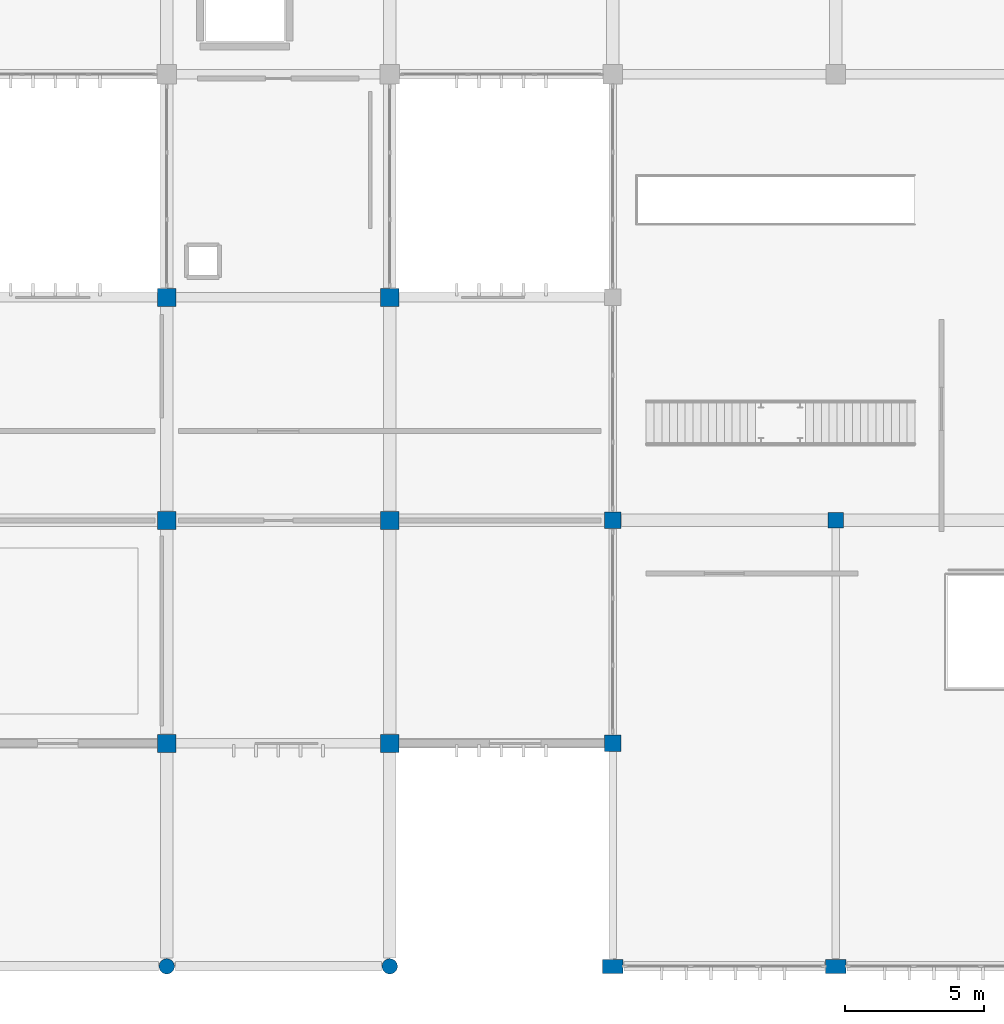
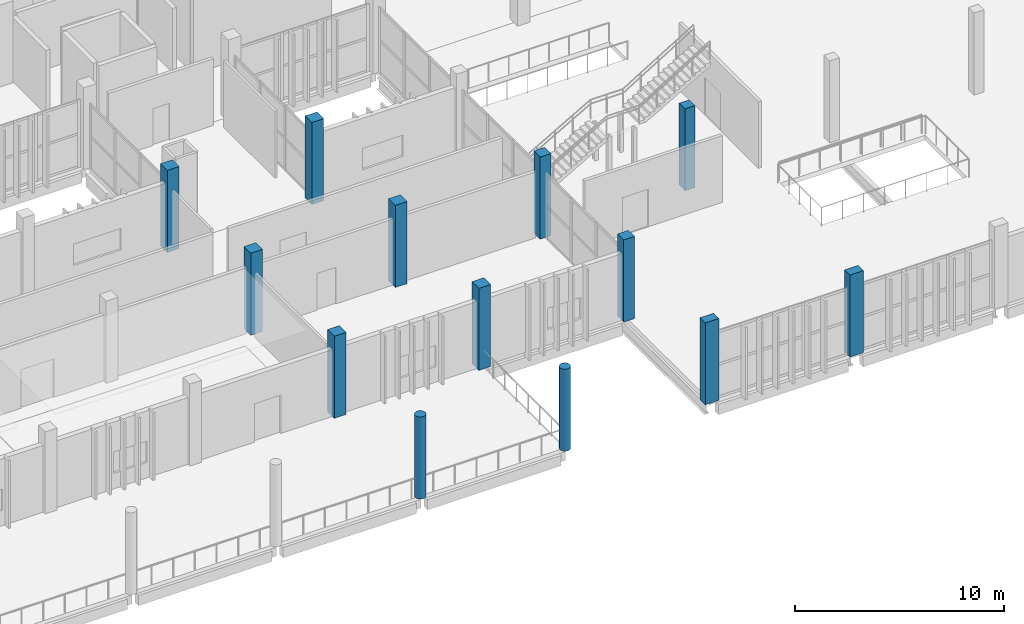
# One storey, part 11 of 106: 13 columns.
"""IFC4 building model written with IfcOpenShell, lengths in metres."""

from ifc_helpers import new_model, si_unit, direction, frame, origin, origin_2d, place, context, subcontext, project, spatial, rectangle, circle, extrude, material, material_profile, profile_set, type_object, element, save


model = new_model("IFC4")

# Units and contexts
model_context = context("Model", 3, precision=1e-05, world=origin(), true_north=direction((0.0, 1.0)))
body_context = subcontext(model_context, "Body", "Model", "MODEL_VIEW")
ifc_project = project(units=[si_unit("LENGTHUNIT", "METRE"), si_unit("AREAUNIT", "SQUARE_METRE"), si_unit("VOLUMEUNIT", "CUBIC_METRE"), si_unit("PLANEANGLEUNIT", "RADIAN"), si_unit("MASSUNIT", "GRAM", prefix="KILO")], contexts=[model_context])

# Site, building, storey
site_placement = place(None, origin())
site = spatial("IfcSite", under=ifc_project, at=site_placement, CompositionType="ELEMENT")
building_placement = place(site_placement, origin())
building = spatial("IfcBuilding", under=site, at=building_placement, Name="Jelvoka-Kovrelna Polytechnic", CompositionType="ELEMENT")
storey_placement = place(building_placement, frame((0.0, 0.0, 4.800048828125)))
storey = spatial("IfcBuildingStorey", under=building, at=storey_placement, Name="L02", CompositionType="ELEMENT", Elevation=4.800048828125)

# Columns
ifc_material_1 = material(Name="Concrete C40/50", Category="concrete")
ifc_material_profile_1 = material_profile(ifc_material_1, circle(Radius=0.27490234375, at=origin_2d()), Name="RC D550")
ifc_profile_set_1 = profile_set([ifc_material_profile_1], Name="Concrete C40/50")
column_type_1 = type_object("IfcColumnType", Name="Col_Pilotis_D550", PredefinedType="PILASTER", material=ifc_profile_set_1)
for number, where, z_axis, x_axis, name in (
    (1, (144.0, 0.0, 0.0), (0.0, 0.0, 1.0), (1.0, 0.0, 0.0), "L02 column 0056"),
    (2, (152.0, 0.0, 0.0), (0.0, 0.0, 1.0), (1.0, 0.0, 0.0), "L02 column 0059"),
):
    element("IfcColumn", number, at=place(storey_placement, frame(where, z_axis=z_axis, x_axis=x_axis)), inside=storey, type_object=column_type_1, Name=name, PredefinedType="PILASTER", context=body_context, shape_type="SweptSolid", body=[
        extrude(circle(Radius=0.27490234375, at=origin_2d()), origin(), (0.0, 0.0, 1.0), 4.800048828125),
    ])
ifc_material_2 = material(Name="Concrete C40/50", Category="concrete")
ifc_material_profile_2 = material_profile(ifc_material_2, rectangle(XDim=0.5, YDim=0.75, at=origin_2d()), Name="RC 500x750")
ifc_profile_set_2 = profile_set([ifc_material_profile_2], Name="Concrete C40/50")
column_type_2 = type_object("IfcColumnType", Name="Col_RC_500x750", PredefinedType="COLUMN", material=ifc_profile_set_2)
for number, where, z_axis, x_axis, name in (
    (3, (160.0, 0.0, 0.0), (0.0, 0.0, 1.0), (0.0, 1.0, 0.0), "L02 column 0062"),
    (4, (168.0, 0.0, 0.0), (0.0, 0.0, 1.0), (0.0, 1.0, 0.0), "L02 column 0066"),
):
    element("IfcColumn", number, at=place(storey_placement, frame(where, z_axis=z_axis, x_axis=x_axis)), inside=storey, type_object=column_type_2, Name=name, PredefinedType="COLUMN", context=body_context, shape_type="SweptSolid", body=[
        extrude(rectangle(XDim=0.5, YDim=0.75, at=origin_2d()), origin(), (0.0, 0.0, 1.0), 4.800048828125),
    ])
ifc_material_3 = material(Name="Concrete C40/50", Category="concrete")
ifc_material_profile_3 = material_profile(ifc_material_3, rectangle(XDim=0.550048828125, YDim=0.550048828125, at=origin_2d()), Name="RC 550x550")
ifc_profile_set_3 = profile_set([ifc_material_profile_3], Name="Concrete C40/50")
column_type_3 = type_object("IfcColumnType", Name="Col_RC_550", PredefinedType="COLUMN", material=ifc_profile_set_3)
column_placement = place(storey_placement, frame((168.0, 16.0, 0.0), z_axis=(0.0, 0.0, 1.0), x_axis=(1.0, 0.0, 0.0)))
element("IfcColumn", 5, at=column_placement, inside=storey, type_object=column_type_3, Name="L02 column 0277", PredefinedType="COLUMN", context=body_context, shape_type="SweptSolid", body=[
    extrude(rectangle(XDim=0.550048828125, YDim=0.550048828125, at=origin_2d()), origin(), (0.0, 0.0, 1.0), 4.800048828125),
])
ifc_material_4 = material(Name="Concrete C40/50", Category="concrete")
ifc_material_profile_4 = material_profile(ifc_material_4, rectangle(XDim=0.60009765625, YDim=0.60009765625, at=origin_2d()), Name="RC 600x600")
ifc_profile_set_4 = profile_set([ifc_material_profile_4], Name="Concrete C40/50")
column_type_4 = type_object("IfcColumnType", Name="Col_RC_600", PredefinedType="COLUMN", material=ifc_profile_set_4)
for number, where, z_axis, x_axis, name in (
    (6, (160.0, 8.0, 0.0), (0.0, 0.0, 1.0), (1.0, 0.0, 0.0), "L02 column 0171"),
    (7, (160.0, 16.0, 0.0), (0.0, 0.0, 1.0), (1.0, 0.0, 0.0), "L02 column 0272"),
):
    element("IfcColumn", number, at=place(storey_placement, frame(where, z_axis=z_axis, x_axis=x_axis)), inside=storey, type_object=column_type_4, Name=name, PredefinedType="COLUMN", context=body_context, shape_type="SweptSolid", body=[
        extrude(rectangle(XDim=0.60009765625, YDim=0.60009765625, at=origin_2d()), origin(), (0.0, 0.0, 1.0), 4.800048828125),
    ])
ifc_material_5 = material(Name="Concrete C40/50", Category="concrete")
ifc_material_profile_5 = material_profile(ifc_material_5, rectangle(XDim=0.64990234375, YDim=0.64990234375, at=origin_2d()), Name="RC 650x650")
ifc_profile_set_5 = profile_set([ifc_material_profile_5], Name="Concrete C40/50")
column_type_5 = type_object("IfcColumnType", Name="Col_RC_650", PredefinedType="COLUMN", material=ifc_profile_set_5)
for number, where, z_axis, x_axis, name in (
    (8, (144.0, 8.0, 0.0), (0.0, 0.0, 1.0), (1.0, 0.0, 0.0), "L02 column 0159"),
    (9, (152.0, 8.0, 0.0), (0.0, 0.0, 1.0), (1.0, 0.0, 0.0), "L02 column 0165"),
    (10, (144.0, 16.0, 0.0), (0.0, 0.0, 1.0), (1.0, 0.0, 0.0), "L02 column 0260"),
    (11, (152.0, 16.0, 0.0), (0.0, 0.0, 1.0), (1.0, 0.0, 0.0), "L02 column 0266"),
    (12, (144.0, 24.0, 0.0), (0.0, 0.0, 1.0), (1.0, 0.0, 0.0), "L02 column 0385"),
    (13, (152.0, 24.0, 0.0), (0.0, 0.0, 1.0), (1.0, 0.0, 0.0), "L02 column 0391"),
):
    element("IfcColumn", number, at=place(storey_placement, frame(where, z_axis=z_axis, x_axis=x_axis)), inside=storey, type_object=column_type_5, Name=name, PredefinedType="COLUMN", context=body_context, shape_type="SweptSolid", body=[
        extrude(rectangle(XDim=0.64990234375, YDim=0.64990234375, at=origin_2d()), origin(), (0.0, 0.0, 1.0), 4.800048828125),
    ])

save(model, "model.ifc")
